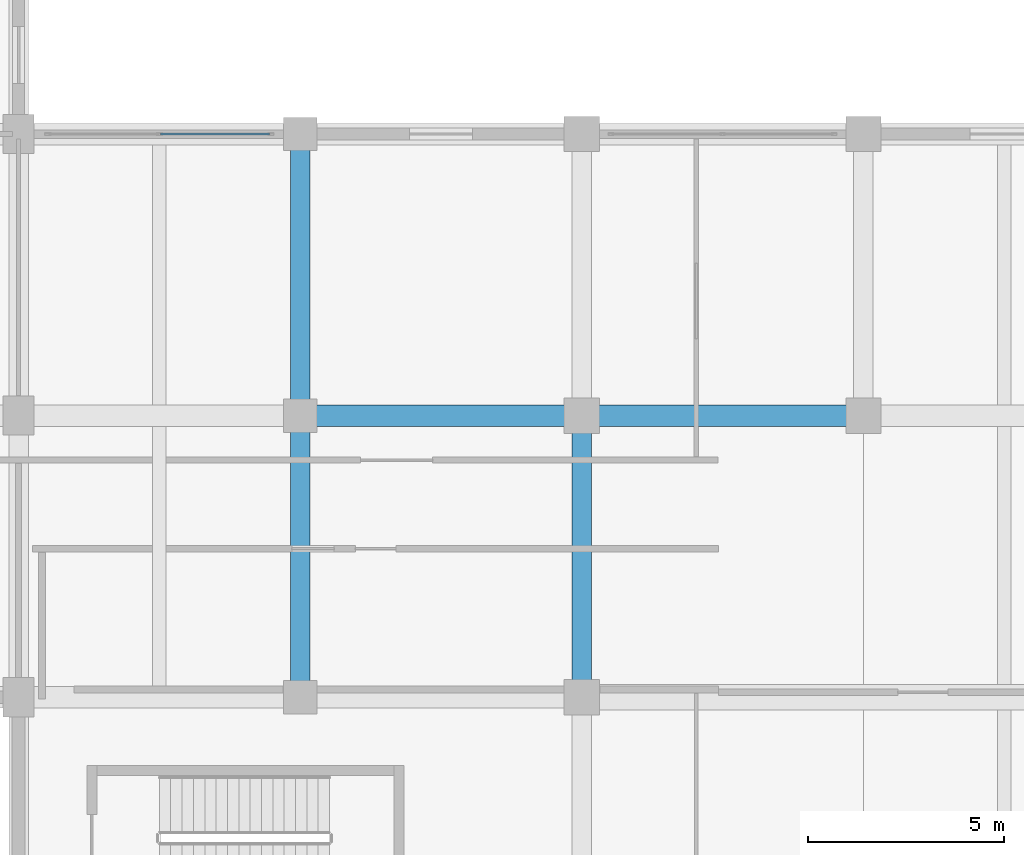
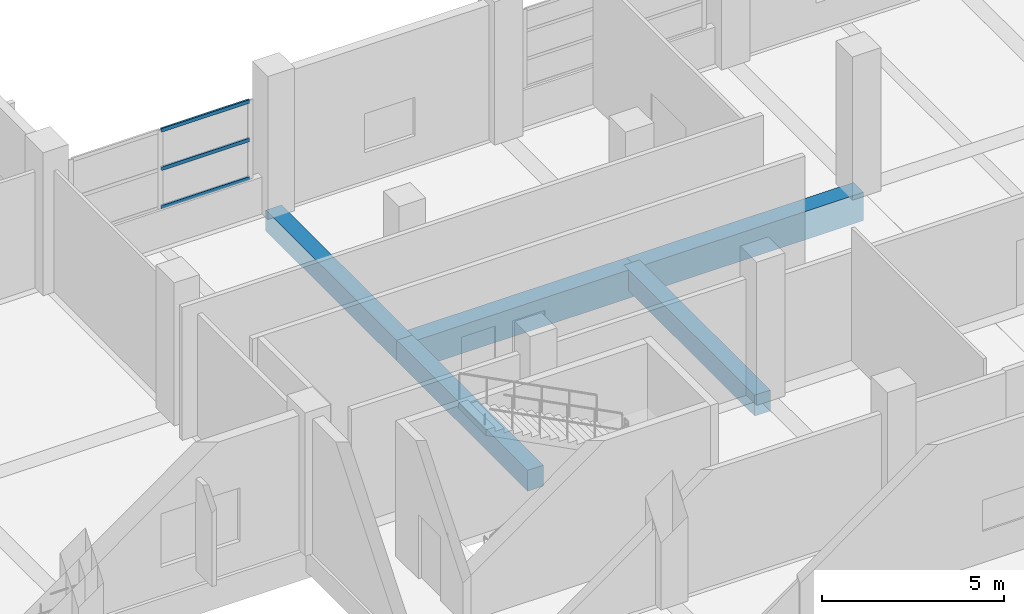
# One storey, part 12 of 181: 5 beams, 3 members, 1 element without a shape of its own.
"""IFC4 building model written with IfcOpenShell, lengths in metres."""

import ifcopenshell
import ifcopenshell.guid

model = None  # the IFC model being written
_history = None  # IfcOwnerHistory: only IFC2X3 demands one
_inside = {}  # id of a spatial element -> (the spatial element, [elements in it])
_under = {}  # id of a project, library or spatial element -> (it, [spatial elements below it])
_declared = {}  # id of a project -> (the project, [libraries it declares])
_typed = {}  # id of a type object -> (the type object, [elements of that type])
_made_of = {}  # id of a material, layer set ... -> (it, [elements and type objects made of it])


def new_model(schema):
    """Start an empty IFC model of exactly this schema.

    Asked for "IFC4X3", IfcOpenShell would pick the latest addendum, in which some entities
    have other attributes; the version numbers below select the first issue.
    IFC2X3 requires an IfcOwnerHistory on every rooted entity: one is made here for all.
    """
    global model, _history
    if schema == "IFC4X3":
        model = ifcopenshell.file(schema_version=(4, 3, 0, 0))
    else:
        model = ifcopenshell.file(schema=schema)
    _inside.clear()
    _under.clear()
    _declared.clear()
    _typed.clear()
    _made_of.clear()
    _history = None
    if model.schema == "IFC2X3":
        org = make("IfcOrganization", Name="unknown")
        user = make(
            "IfcPersonAndOrganization",
            ThePerson=make("IfcPerson", FamilyName="unknown"),
            TheOrganization=org,
        )
        app = make(
            "IfcApplication",
            ApplicationDeveloper=org,
            Version="unknown",
            ApplicationFullName="unknown",
            ApplicationIdentifier="unknown",
        )
        _history = make(
            "IfcOwnerHistory",
            OwningUser=user,
            OwningApplication=app,
            ChangeAction="ADDED",
            CreationDate=0,
        )
    return model


def make(cls, **values):
    """One entity of the class cls with the attributes given. An attribute that is None is left unset."""
    return model.create_entity(
        cls, **{name: value for name, value in values.items() if value is not None}
    )


def rooted(cls, **values):
    """An entity with a GlobalId (a new one), such as an element, a storey or a relation."""
    return make(cls, GlobalId=ifcopenshell.guid.new(), OwnerHistory=_history, **values)


def si_unit(unit_type, name, prefix=None):
    """IfcSIUnit, for example si_unit("LENGTHUNIT", "METRE", prefix="MILLI")."""
    return make("IfcSIUnit", UnitType=unit_type, Prefix=prefix, Name=name)


def assignment(units):
    """IfcUnitAssignment: the units of a project."""
    return None if units is None else make("IfcUnitAssignment", Units=units)


def point(xyz):
    """IfcCartesianPoint."""
    return None if xyz is None else make("IfcCartesianPoint", Coordinates=xyz)


def direction(xyz):
    """IfcDirection."""
    return None if xyz is None else make("IfcDirection", DirectionRatios=xyz)


def frame(location, z_axis=None, x_axis=None):
    """IfcAxis2Placement3D, a coordinate frame: its origin and axes. An axis left out is left unset."""
    return make(
        "IfcAxis2Placement3D",
        Location=point(location),
        Axis=direction(z_axis),
        RefDirection=direction(x_axis),
    )


def frame_2d(location, x_axis=None):
    """IfcAxis2Placement2D, a coordinate frame in the plane: its origin and x axis."""
    return make(
        "IfcAxis2Placement2D", Location=point(location), RefDirection=direction(x_axis)
    )


def origin():
    """The frame at (0, 0, 0) with its axes left unset."""
    return frame((0.0, 0.0, 0.0))


def origin_2d():
    """The frame at (0, 0) in the plane with its x axis left unset."""
    return frame_2d((0.0, 0.0))


def place(relative_to, where):
    """IfcLocalPlacement: puts the frame where relative to a parent placement (None: the world)."""
    return make(
        "IfcLocalPlacement", PlacementRelTo=relative_to, RelativePlacement=where
    )


def context(
    kind, dimensions, precision=None, world=None, true_north=None, identifier=None
):
    """IfcGeometricRepresentationContext, for example the 3D "Model" context."""
    return make(
        "IfcGeometricRepresentationContext",
        ContextIdentifier=identifier,
        ContextType=kind,
        CoordinateSpaceDimension=dimensions,
        Precision=precision,
        WorldCoordinateSystem=world,
        TrueNorth=true_north,
    )


def subcontext(parent, identifier, kind, view, scale=None):
    """IfcGeometricRepresentationSubContext, for example "Body" below "Model"."""
    return make(
        "IfcGeometricRepresentationSubContext",
        ContextIdentifier=identifier,
        ContextType=kind,
        ParentContext=parent,
        TargetScale=scale,
        TargetView=view,
    )


def project(units=None, contexts=None):
    """IfcProject with its units and contexts."""
    return rooted(
        "IfcProject",
        Name="project",
        RepresentationContexts=contexts,
        UnitsInContext=assignment(units),
    )


def spatial(cls, under=None, at=None, **own):
    """A site, building, storey or space (cls), placed at a placement, below another one or the project."""
    s = rooted(cls, ObjectPlacement=at, **own)
    if under is not None:
        _under.setdefault(under.id(), (under, []))[1].append(s)
    return s


def profile(cls, at=None, kind="AREA", **sizes):
    """A parametric profile (cls). Its sizes go by their IFC names, for example OverallWidth=200.0."""
    return make(cls, ProfileType=kind, Position=at, **sizes)


def rectangle(**sizes):
    """IfcRectangleProfileDef."""
    return profile("IfcRectangleProfileDef", **sizes)


def hollow_rectangle(**sizes):
    """IfcRectangleHollowProfileDef."""
    return profile("IfcRectangleHollowProfileDef", **sizes)


def extrude(swept, where, along, depth):
    """IfcExtrudedAreaSolid: the profile swept, set in the frame where, extruded along a direction by depth."""
    return make(
        "IfcExtrudedAreaSolid",
        SweptArea=swept,
        Position=where,
        ExtrudedDirection=direction(along),
        Depth=depth,
    )


def shape(context_of_items, identifier, shape_type, items):
    """IfcShapeRepresentation: the items that make up one representation, for example the "Body"."""
    return make(
        "IfcShapeRepresentation",
        ContextOfItems=context_of_items,
        RepresentationIdentifier=identifier,
        RepresentationType=shape_type,
        Items=items,
    )


def material(Name=None, Category=None):
    """IfcMaterial."""
    return make("IfcMaterial", Name=Name, Category=Category)


def layer(
    of_material, thickness, ventilated=None, Name=None, Category=None, Priority=None
):
    """IfcMaterialLayer: one layer of a wall or slab, of a material (None: an air gap)."""
    return make(
        "IfcMaterialLayer",
        Material=of_material,
        LayerThickness=thickness,
        IsVentilated=ventilated,
        Name=Name,
        Category=Category,
        Priority=Priority,
    )


def layer_set(layers, Name=None):
    """IfcMaterialLayerSet."""
    return make("IfcMaterialLayerSet", MaterialLayers=layers, LayerSetName=Name)


def material_profile(
    of_material, cross_section, Name=None, Category=None, Priority=None
):
    """IfcMaterialProfile: a cross section and its material."""
    return make(
        "IfcMaterialProfile",
        Name=Name,
        Material=of_material,
        Profile=cross_section,
        Priority=Priority,
        Category=Category,
    )


def profile_set(profiles, Name=None, composite=None):
    """IfcMaterialProfileSet."""
    return make(
        "IfcMaterialProfileSet",
        Name=Name,
        MaterialProfiles=profiles,
        CompositeProfile=composite,
    )


def made_of(thing, what):
    """Note that an element or type object is made of a material, layer set ...; save() writes the relation."""
    if what is not None:
        _made_of.setdefault(what.id(), (what, []))[1].append(thing)
    return thing


def type_object(cls, material=None, **own):
    """A type object (cls), such as IfcWallType, which elements share."""
    return made_of(rooted(cls, **own), material)


def element(
    cls,
    number,
    at=None,
    inside=None,
    cuts=None,
    type_object=None,
    material=None,
    context=None,
    identifier="Body",
    shape_type=None,
    held_by="IfcProductDefinitionShape",
    body=None,
    shapes=None,
    **own,
):
    """One element of the class cls, such as IfcWall. Its Tag is "e" and its number.

    at: its placement. inside: the storey or other place that contains it. cuts: it is an
    opening in that element (IfcRelVoidsElement). A single representation is given by context,
    identifier, shape_type and body (its items); several are given by shapes. held_by: the class
    of the entity that holds the representations. save() writes the other relations.
    """
    e = rooted(cls, Tag="e%d" % number, ObjectPlacement=at, **own)
    if body is not None:
        shapes = [shape(context, identifier, shape_type, body)]
    if shapes is not None:
        e.Representation = make(held_by, Representations=shapes)
    if inside is not None:
        _inside.setdefault(inside.id(), (inside, []))[1].append(e)
    if cuts is not None:
        rooted(
            "IfcRelVoidsElement", RelatingBuildingElement=cuts, RelatedOpeningElement=e
        )
    if type_object is not None:
        _typed.setdefault(type_object.id(), (type_object, []))[1].append(e)
    return made_of(e, material)


def aggregate(whole, parts):
    """IfcRelAggregates: a whole, such as a stair, and the parts it consists of."""
    return rooted("IfcRelAggregates", RelatingObject=whole, RelatedObjects=parts)


def save(model, path):
    """Write the relations noted so far, then the file.

    IfcRelAggregates (storeys below a building ...), IfcRelContainedInSpatialStructure (elements
    in a storey), IfcRelDefinesByType, IfcRelAssociatesMaterial and IfcRelDeclares: one each for
    every whole, place, type object, material and project.
    """
    for whole, parts in _under.values():
        aggregate(whole, parts)
    for where, things in _inside.values():
        rooted(
            "IfcRelContainedInSpatialStructure",
            RelatedElements=things,
            RelatingStructure=where,
        )
    for kind, things in _typed.values():
        rooted("IfcRelDefinesByType", RelatedObjects=things, RelatingType=kind)
    for what, things in _made_of.values():
        rooted("IfcRelAssociatesMaterial", RelatedObjects=things, RelatingMaterial=what)
    for by, libraries in _declared.values():
        rooted("IfcRelDeclares", RelatingContext=by, RelatedDefinitions=libraries)
    model.write(path)


model = new_model("IFC4")

# Units and contexts
model_context = context("Model", 3, precision=1e-05, world=origin(), true_north=direction((0.0, 1.0)))
body_context = subcontext(model_context, "Body", "Model", "MODEL_VIEW")
ifc_project = project(units=[si_unit("LENGTHUNIT", "METRE"), si_unit("AREAUNIT", "SQUARE_METRE"), si_unit("VOLUMEUNIT", "CUBIC_METRE"), si_unit("PLANEANGLEUNIT", "RADIAN"), si_unit("MASSUNIT", "GRAM", prefix="KILO")], contexts=[model_context])

# Site, building, storey
site_placement = place(None, origin())
site = spatial("IfcSite", under=ifc_project, at=site_placement, CompositionType="ELEMENT")
building_placement = place(site_placement, origin())
building = spatial("IfcBuilding", under=site, at=building_placement, Name="Seraya Terrace Polytechnic", CompositionType="ELEMENT")
storey_placement = place(building_placement, frame((0.0, 0.0, 4.800048828125)))
storey = spatial("IfcBuildingStorey", under=building, at=storey_placement, Name="L01", CompositionType="ELEMENT", Elevation=4.800048828125)

# Beams
ifc_material_1 = material(Name="Concrete C40/50", Category="concrete")
ifc_material_profile_1 = material_profile(ifc_material_1, rectangle(XDim=0.550048828125, YDim=0.949951171875, at=origin_2d()), Name="RC 550x950")
ifc_profile_set_1 = profile_set([ifc_material_profile_1], Name="Concrete C40/50")
beam_type_1 = type_object("IfcBeamType", Name="BM-03", PredefinedType="BEAM", material=ifc_profile_set_1)
beam_1_placement = place(storey_placement, frame((50.39990234375, 21.60009765625, -0.47509765625), z_axis=(1.0, 0.0, 0.0), x_axis=(0.0, 1.0, 0.0)))
element("IfcBeam", 1, at=beam_1_placement, inside=storey, type_object=beam_type_1, Name="Beam BM-03 L01 X (50.4..57.6, 21.6)", PredefinedType="BEAM", context=body_context, shape_type="SweptSolid", body=[
    extrude(rectangle(XDim=0.550048828125, YDim=0.949951171875, at=origin_2d()), origin(), (0.0, 0.0, 1.0), 7.2001953125),
])
beam_2_placement = place(storey_placement, frame((57.60009765625, 21.60009765625, -0.47509765625), z_axis=(1.0, 0.0, 0.0), x_axis=(0.0, 1.0, 0.0)))
element("IfcBeam", 2, at=beam_2_placement, inside=storey, type_object=beam_type_1, Name="Beam BM-03 L01 X (57.6..64.8, 21.6)", PredefinedType="BEAM", context=body_context, shape_type="SweptSolid", body=[
    extrude(rectangle(XDim=0.550048828125, YDim=0.949951171875, at=origin_2d()), origin(), (0.0, 0.0, 1.0), 7.199951171875),
])
ifc_material_profile_2 = material_profile(ifc_material_1, rectangle(XDim=0.5, YDim=0.699951171875, at=origin_2d()), Name="RC 500x700")
ifc_profile_set_2 = profile_set([ifc_material_profile_2], Name="Concrete C40/50")
beam_type_2 = type_object("IfcBeamType", Name="BM-07", PredefinedType="BEAM", material=ifc_profile_set_2)
beam_3_placement = place(storey_placement, frame((50.39990234375, 14.39990234375, -0.35009765625), z_axis=(0.0, 1.0, 0.0), x_axis=(-1.0, 0.0, 0.0)))
element("IfcBeam", 3, at=beam_3_placement, inside=storey, type_object=beam_type_2, Name="Beam BM-07 L01 Y (50.4, 14.4..21.6)", PredefinedType="BEAM", context=body_context, shape_type="SweptSolid", body=[
    extrude(rectangle(XDim=0.5, YDim=0.699951171875, at=origin_2d()), origin(), (0.0, 0.0, 1.0), 7.2001953125),
])
beam_4_placement = place(storey_placement, frame((50.39990234375, 21.60009765625, -0.35009765625), z_axis=(0.0, 1.0, 0.0), x_axis=(-1.0, 0.0, 0.0)))
element("IfcBeam", 4, at=beam_4_placement, inside=storey, type_object=beam_type_2, Name="Beam BM-07 L01 Y (50.4, 21.6..28.8)", PredefinedType="BEAM", context=body_context, shape_type="SweptSolid", body=[
    extrude(rectangle(XDim=0.5, YDim=0.699951171875, at=origin_2d()), origin(), (0.0, 0.0, 1.0), 7.199951171875),
])
beam_5_placement = place(storey_placement, frame((57.60009765625, 14.39990234375, -0.35009765625), z_axis=(0.0, 1.0, 0.0), x_axis=(-1.0, 0.0, 0.0)))
element("IfcBeam", 5, at=beam_5_placement, inside=storey, type_object=beam_type_2, Name="Beam BM-07 L01 Y (57.6, 14.4..21.6)", PredefinedType="BEAM", context=body_context, shape_type="SweptSolid", body=[
    extrude(rectangle(XDim=0.5, YDim=0.699951171875, at=origin_2d()), origin(), (0.0, 0.0, 1.0), 7.2001953125),
])

# Curtain wall, members
ifc_material_2 = material(Name="Anodised aluminium EN AW-6063 T6", Category="aluminium")
ifc_layer = layer(ifc_material_2, 0.179931640625, Name="CW-02")
ifc_layer_set = layer_set([ifc_layer], Name="Anodised aluminium EN AW-6063 T6")
curtain_wall_type = type_object("IfcCurtainWallType", Name="CW-02", PredefinedType="NOTDEFINED", material=ifc_layer_set)
curtain_wall_placement = place(storey_placement, origin())
curtain_wall = element("IfcCurtainWall", 6, at=curtain_wall_placement, inside=storey, type_object=curtain_wall_type, Name="Unitised curtain wall CW-02 (CW-L01-038)", PredefinedType="NOTDEFINED")
ifc_material_profile_3 = material_profile(ifc_material_2, hollow_rectangle(XDim=0.06005859375, YDim=0.1201171875, WallThickness=0.003173828125, at=origin_2d()), Name="RHS 120x60x3.2")
ifc_profile_set_3 = profile_set([ifc_material_profile_3], Name="Anodised aluminium EN AW-6063 T6")
member_type = type_object("IfcMemberType", Name="CWT-02", PredefinedType="USERDEFINED", material=ifc_profile_set_3)
member_1_placement = place(storey_placement, frame((46.830078125, 28.800048828125, 1.27001953125), z_axis=(1.0, 0.0, 0.0), x_axis=(0.0, 1.0, 0.0)))
member_1 = element("IfcMember", 7, at=member_1_placement, type_object=member_type, Name="CW-02 transom 2.1", ObjectType="TRANSOM", PredefinedType="USERDEFINED", context=body_context, shape_type="SweptSolid", body=[
    extrude(hollow_rectangle(XDim=0.06005859375, YDim=0.1201171875, WallThickness=0.003173828125, at=origin_2d()), origin(), (0.0, 0.0, 1.0), 2.7900390625),
])
member_2_placement = place(storey_placement, frame((46.830078125, 28.800048828125, 2.56005859375), z_axis=(1.0, 0.0, 0.0), x_axis=(0.0, 1.0, 0.0)))
member_2 = element("IfcMember", 8, at=member_2_placement, type_object=member_type, Name="CW-02 transom 2.2", ObjectType="TRANSOM", PredefinedType="USERDEFINED", context=body_context, shape_type="SweptSolid", body=[
    extrude(hollow_rectangle(XDim=0.06005859375, YDim=0.1201171875, WallThickness=0.003173828125, at=origin_2d()), origin(), (0.0, 0.0, 1.0), 2.7900390625),
])
member_3_placement = place(storey_placement, frame((46.830078125, 28.800048828125, 3.849853515625), z_axis=(1.0, 0.0, 0.0), x_axis=(0.0, 1.0, 0.0)))
member_3 = element("IfcMember", 9, at=member_3_placement, type_object=member_type, Name="CW-02 transom 2.3", ObjectType="TRANSOM", PredefinedType="USERDEFINED", context=body_context, shape_type="SweptSolid", body=[
    extrude(hollow_rectangle(XDim=0.06005859375, YDim=0.1201171875, WallThickness=0.003173828125, at=origin_2d()), origin(), (0.0, 0.0, 1.0), 2.7900390625),
])
aggregate(curtain_wall, [member_1, member_2, member_3])

save(model, "model.ifc")
